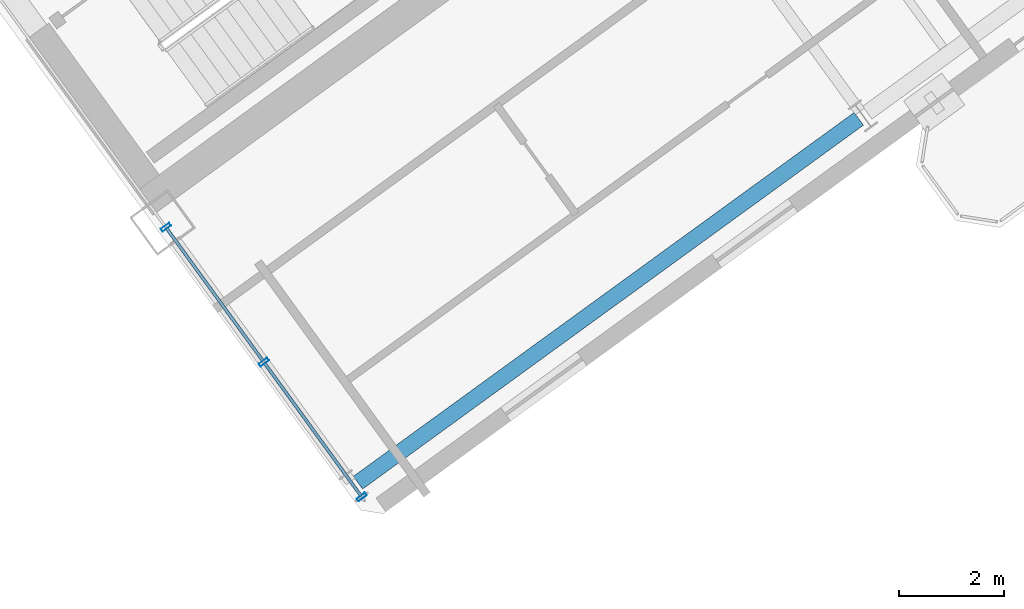
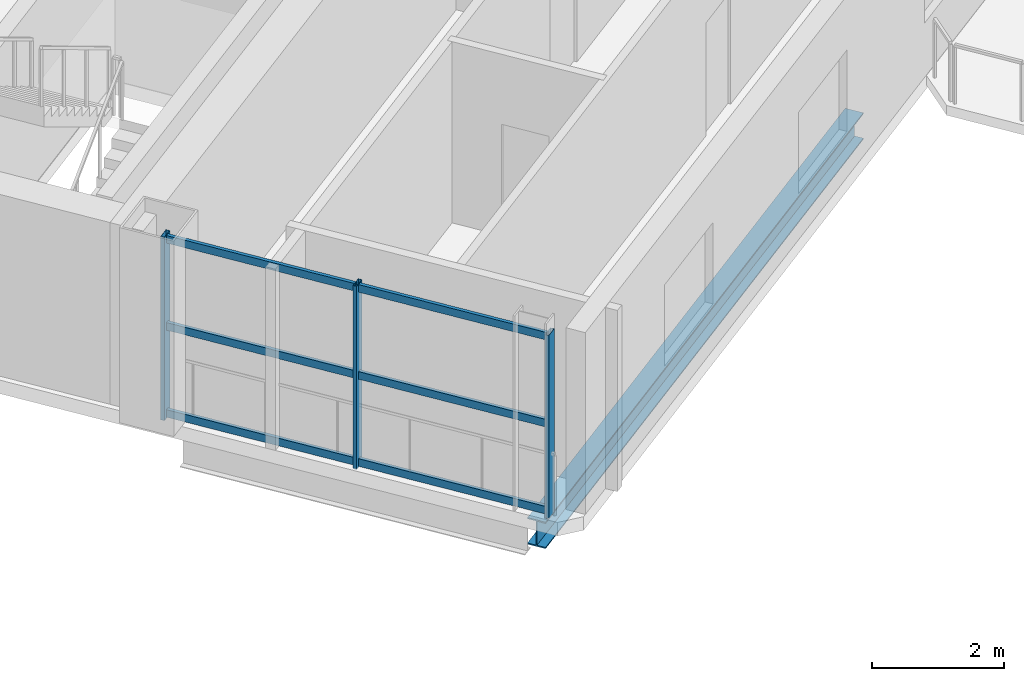
# One storey, part 8 of 19: 9 members, 1 beam, 1 element without a shape of its own.
"""IFC4 building model written with IfcOpenShell, lengths in metres."""

from ifc_helpers import new_model, si_unit, direction, frame, origin, origin_2d, place, context, subcontext, project, spatial, hollow_rectangle, i_section, extrude, source, transform, mapped, material, material_profile, profile_set, type_object, element, aggregate, save


model = new_model("IFC4")

# Units and contexts
model_context = context("Model", 3, precision=1e-05, world=origin(), true_north=direction((0.0, 1.0)))
body_context = subcontext(model_context, "Body", "Model", "MODEL_VIEW")
ifc_project = project(units=[si_unit("LENGTHUNIT", "METRE"), si_unit("AREAUNIT", "SQUARE_METRE"), si_unit("VOLUMEUNIT", "CUBIC_METRE"), si_unit("PLANEANGLEUNIT", "RADIAN"), si_unit("MASSUNIT", "GRAM", prefix="KILO")], contexts=[model_context])

# Site, building, storey
site_placement = place(None, origin())
site = spatial("IfcSite", under=ifc_project, at=site_placement, CompositionType="ELEMENT")
building_placement = place(site_placement, origin())
building = spatial("IfcBuilding", under=site, at=building_placement, Name="Tlacorven Tower", CompositionType="ELEMENT")
storey_placement = place(building_placement, frame((0.0, 0.0, 147.89990234375)))
storey = spatial("IfcBuildingStorey", under=building, at=storey_placement, Name="L37", CompositionType="ELEMENT", Elevation=147.89990234375)

# Beam
ifc_material_1 = material(Name="Steel S355J2", Category="steel")
ifc_material_profile_1 = material_profile(ifc_material_1, i_section(OverallWidth=0.300048828125, OverallDepth=0.489990234375, WebThickness=0.011962890625, FlangeThickness=0.02294921875, at=origin_2d()), Name="HEA 500")
ifc_profile_set_1 = profile_set([ifc_material_profile_1], Name="Steel S355J2")
beam_type = type_object("IfcBeamType", Name="BM-SPN-500", PredefinedType="SPANDREL", material=ifc_profile_set_1)
shared_shape_1 = source(origin(), body_context, "Body", "SweptSolid", [
    extrude(i_section(OverallWidth=0.300048828125, OverallDepth=0.489990234375, WebThickness=0.011962890625, FlangeThickness=0.02294921875, at=origin_2d()), origin(), (0.0, 0.0, 1.0), 11.800048828125),
])
beam_placement = place(storey_placement, frame((56.4306640625, 7.816162109375, -0.494873046875), z_axis=(0.80900977213, 0.587795192732, 0.0), x_axis=(-0.587795192732, 0.80900977213, 0.0)))
element("IfcBeam", 1, at=beam_placement, inside=storey, type_object=beam_type, Name="L37 beam BM-L37-EL1-1", PredefinedType="SPANDREL", context=body_context, shape_type="MappedRepresentation", body=[
    mapped(shared_shape_1, transform((0.0, 0.0, 0.0), scale=1.0)),
])

# Curtain wall, members
ifc_material_2 = material(Name="Dark solar low-E double glazing in aluminium frame", Category="aluminium")
curtain_wall_type = type_object("IfcCurtainWallType", Name="CW-TWR-MID", PredefinedType="USERDEFINED", material=ifc_material_2)
curtain_wall_placement = place(storey_placement, origin())
curtain_wall = element("IfcCurtainWall", 2, at=curtain_wall_placement, inside=storey, type_object=curtain_wall_type, Name="L37 CW-TWR-MID Curtain Wall 166", ObjectType="UNITISED CURTAIN WALL", PredefinedType="USERDEFINED")
ifc_material_3 = material(Name="Aluminium 6063-T6 anodised", Category="aluminium")
ifc_material_profile_2 = material_profile(ifc_material_3, hollow_rectangle(XDim=0.06494140625, YDim=0.199951171875, WallThickness=0.00439453125, at=origin_2d()), Name="ALU MULLION 65X200")
ifc_profile_set_2 = profile_set([ifc_material_profile_2], Name="Aluminium 6063-T6 anodised")
member_type_1 = type_object("IfcMemberType", Name="CWM-02", PredefinedType="MULLION", material=ifc_profile_set_2)
shared_shape_2 = source(origin(), body_context, "Body", "SweptSolid", [
    extrude(hollow_rectangle(XDim=0.06494140625, YDim=0.199951171875, WallThickness=0.00439453125, at=origin_2d()), origin(), (0.0, 0.0, 1.0), 3.380126953125),
])
member_1_placement = place(storey_placement, frame((56.503173828125, 7.546142578125, -0.02001953125), z_axis=(0.0, 0.0, 1.0), x_axis=(-0.587785363163, 0.809016913823, 0.0)))
member_1 = element("IfcMember", 3, at=member_1_placement, type_object=member_type_1, Name="CW-L37-166 Mullion 1", PredefinedType="MULLION", context=body_context, shape_type="MappedRepresentation", body=[
    mapped(shared_shape_2, transform((0.0, 0.0, 0.0), scale=1.0)),
])
member_2_placement = place(storey_placement, frame((54.635986328125, 10.1162109375, -0.02001953125), z_axis=(0.0, 0.0, 1.0), x_axis=(-0.587785363163, 0.809016913823, 0.0)))
member_2 = element("IfcMember", 4, at=member_2_placement, type_object=member_type_1, Name="CW-L37-166 Mullion 2", PredefinedType="MULLION", context=body_context, shape_type="MappedRepresentation", body=[
    mapped(shared_shape_2, transform((0.0, 0.0, 0.0), scale=1.0)),
])
member_3_placement = place(storey_placement, frame((52.7685546875, 12.6865234375, -0.02001953125), z_axis=(0.0, 0.0, 1.0), x_axis=(-0.587785363163, 0.809016913823, 0.0)))
member_3 = element("IfcMember", 5, at=member_3_placement, type_object=member_type_1, Name="CW-L37-166 Mullion 3", PredefinedType="MULLION", context=body_context, shape_type="MappedRepresentation", body=[
    mapped(shared_shape_2, transform((0.0, 0.0, 0.0), scale=1.0)),
])
ifc_material_profile_3 = material_profile(ifc_material_3, hollow_rectangle(XDim=0.06005859375, YDim=0.139892578125, WallThickness=0.00390625, at=origin_2d()), Name="ALU TRANSOM 60X140")
ifc_profile_set_3 = profile_set([ifc_material_profile_3], Name="Aluminium 6063-T6 anodised")
member_type_2 = type_object("IfcMemberType", Name="CWT-02", PredefinedType="USERDEFINED", material=ifc_profile_set_3)
shared_shape_3 = source(origin(), body_context, "Body", "SweptSolid", [
    extrude(hollow_rectangle(XDim=0.06005859375, YDim=0.139892578125, WallThickness=0.00390625, at=origin_2d()), origin(), (0.0, 0.0, 1.0), 3.1357421875),
])
member_4_placement = place(storey_placement, frame((56.4912109375, 7.562744140625, 0.070068359375), z_axis=(-0.587810556927, 0.808998608877, 0.0), x_axis=(-0.808998608877, -0.587810556927, 0.0)))
member_4 = element("IfcMember", 6, at=member_4_placement, type_object=member_type_2, Name="CW-L37-166 Transom 1", ObjectType="TRANSOM", PredefinedType="USERDEFINED", context=body_context, shape_type="MappedRepresentation", body=[
    mapped(shared_shape_3, transform((0.0, 0.0, 0.0), scale=1.0)),
])
member_5_placement = place(storey_placement, frame((56.4912109375, 7.562744140625, 1.675048828125), z_axis=(-0.587810556927, 0.808998608877, 0.0), x_axis=(-0.808998608877, -0.587810556927, 0.0)))
member_5 = element("IfcMember", 7, at=member_5_placement, type_object=member_type_2, Name="CW-L37-166 Transom 2", ObjectType="TRANSOM", PredefinedType="USERDEFINED", context=body_context, shape_type="MappedRepresentation", body=[
    mapped(shared_shape_3, transform((0.0, 0.0, 0.0), scale=1.0)),
])
member_6_placement = place(storey_placement, frame((56.4912109375, 7.562744140625, 3.280029296875), z_axis=(-0.587810556927, 0.808998608877, 0.0), x_axis=(-0.808998608877, -0.587810556927, 0.0)))
member_6 = element("IfcMember", 8, at=member_6_placement, type_object=member_type_2, Name="CW-L37-166 Transom 3", ObjectType="TRANSOM", PredefinedType="USERDEFINED", context=body_context, shape_type="MappedRepresentation", body=[
    mapped(shared_shape_3, transform((0.0, 0.0, 0.0), scale=1.0)),
])
member_7_placement = place(storey_placement, frame((54.623779296875, 10.1328125, 0.070068359375), z_axis=(-0.587722576724, 0.809062527132, 0.0), x_axis=(-0.809062527132, -0.587722576724, 0.0)))
member_7 = element("IfcMember", 9, at=member_7_placement, type_object=member_type_2, Name="CW-L37-166 Transom 4", ObjectType="TRANSOM", PredefinedType="USERDEFINED", context=body_context, shape_type="MappedRepresentation", body=[
    mapped(shared_shape_3, transform((0.0, 0.0, 0.0), scale=1.0)),
])
member_8_placement = place(storey_placement, frame((54.623779296875, 10.1328125, 1.675048828125), z_axis=(-0.587722576724, 0.809062527132, 0.0), x_axis=(-0.809062527132, -0.587722576724, 0.0)))
member_8 = element("IfcMember", 10, at=member_8_placement, type_object=member_type_2, Name="CW-L37-166 Transom 5", ObjectType="TRANSOM", PredefinedType="USERDEFINED", context=body_context, shape_type="MappedRepresentation", body=[
    mapped(shared_shape_3, transform((0.0, 0.0, 0.0), scale=1.0)),
])
member_9_placement = place(storey_placement, frame((54.623779296875, 10.1328125, 3.280029296875), z_axis=(-0.587722576724, 0.809062527132, 0.0), x_axis=(-0.809062527132, -0.587722576724, 0.0)))
member_9 = element("IfcMember", 11, at=member_9_placement, type_object=member_type_2, Name="CW-L37-166 Transom 6", ObjectType="TRANSOM", PredefinedType="USERDEFINED", context=body_context, shape_type="MappedRepresentation", body=[
    mapped(shared_shape_3, transform((0.0, 0.0, 0.0), scale=1.0)),
])
aggregate(curtain_wall, [member_1, member_2, member_3, member_4, member_5, member_6, member_7, member_8, member_9])

save(model, "model.ifc")
